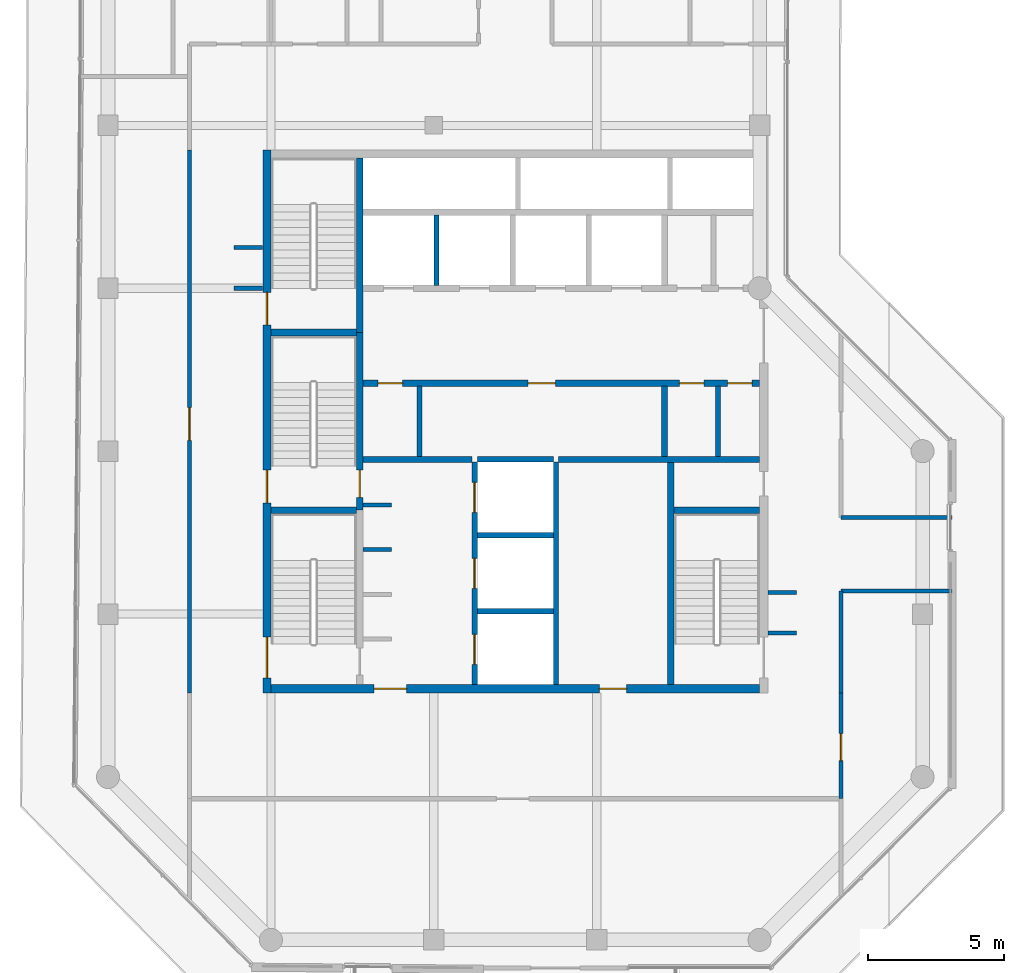
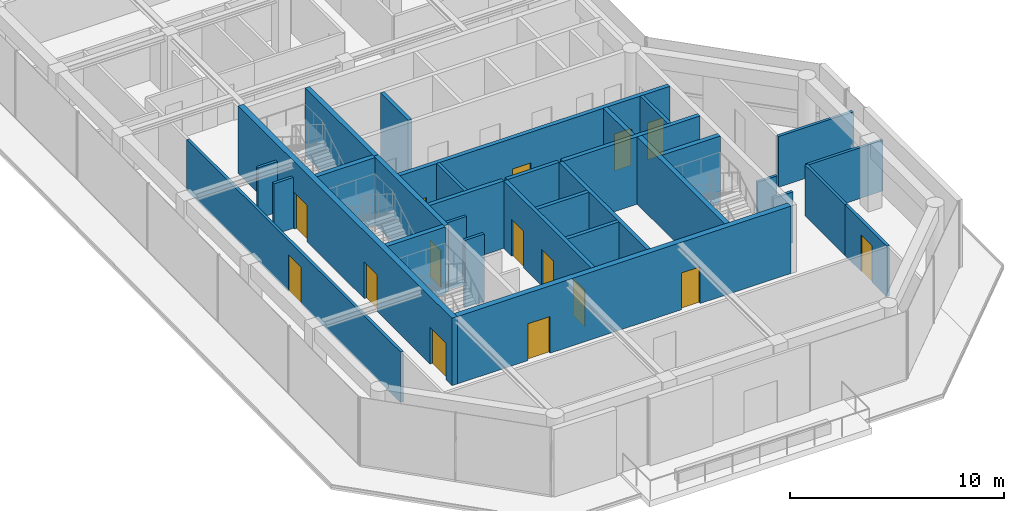
# One storey, part 14 of 18: 31 walls, 15 doors, 15 openings.
"""IFC4 building model written with IfcOpenShell, lengths in metres."""

from ifc_helpers import new_model, si_unit, direction, frame, frame_2d, origin, place, context, subcontext, project, spatial, rectangle, extrude, material, layer, layer_set, type_object, element, fill, save


model = new_model("IFC4")

# Units and contexts
model_context = context("Model", 3, precision=1e-05, world=origin(), true_north=direction((0.0, 1.0)))
body_context = subcontext(model_context, "Body", "Model", "MODEL_VIEW")
ifc_project = project(units=[si_unit("LENGTHUNIT", "METRE"), si_unit("AREAUNIT", "SQUARE_METRE"), si_unit("VOLUMEUNIT", "CUBIC_METRE"), si_unit("PLANEANGLEUNIT", "RADIAN"), si_unit("MASSUNIT", "GRAM", prefix="KILO")], contexts=[model_context])

# Site, building, storey
site_placement = place(None, origin())
site = spatial("IfcSite", under=ifc_project, at=site_placement, CompositionType="ELEMENT")
building_placement = place(site_placement, origin())
building = spatial("IfcBuilding", under=site, at=building_placement, Name="Welwitschia Terrace Campus", CompositionType="ELEMENT")
storey_placement = place(building_placement, frame((0.0, 0.0, 285.199951171875)))
storey = spatial("IfcBuildingStorey", under=building, at=storey_placement, Name="L63", CompositionType="ELEMENT", Elevation=285.199951171875)

# Walls
ifc_material_1 = material(Name="Concrete C32/40", Category="concrete")
ifc_layer_1 = layer(ifc_material_1, 0.175048828125)
ifc_layer_set_1 = layer_set([ifc_layer_1], Name="Concrete C32/40")
wall_type_1 = type_object("IfcWallType", Name="Core partition 175 Concrete C32/40", PredefinedType="PARTITIONING", material=ifc_layer_set_1)
for number, where, z_axis, x_axis, name in (
    (1, (11.47509765625, 13.800048828125, 0.0), (0.0, 0.0, 1.0), (0.0, 1.0, 0.0), "Core partition"),
    (2, (22.469970703125, 13.800048828125, 0.0), (0.0, 0.0, 1.0), (0.0, 1.0, 0.0), "Core partition"),
):
    element("IfcWall", number, at=place(storey_placement, frame(where, z_axis=z_axis, x_axis=x_axis)), inside=storey, type_object=wall_type_1, Name=name, PredefinedType="PARTITIONING", context=body_context, shape_type="SweptSolid", body=[
        extrude(rectangle(XDim=2.599853515625, YDim=0.175048828125, at=frame_2d((1.2998046875, 0.0))), origin(), (0.0, 0.0, 1.0), 3.85009765625),
    ])
ifc_material_2 = material(Name="Concrete C32/40", Category="concrete")
ifc_layer_2 = layer(ifc_material_2, 0.22509765625)
ifc_layer_set_2 = layer_set([ifc_layer_2], Name="Concrete C32/40")
wall_type_2 = type_object("IfcWallType", Name="Core partition 225 Concrete C32/40", PredefinedType="PARTITIONING", material=ifc_layer_set_2)
wall_1_placement = place(storey_placement, frame((9.39990234375, 13.699951171875, 0.0), z_axis=(0.0, 0.0, 1.0), x_axis=(1.0, 0.0, 0.0)))
element("IfcWall", 3, at=wall_1_placement, inside=storey, type_object=wall_type_2, Name="Core partition", PredefinedType="PARTITIONING", context=body_context, shape_type="SweptSolid", body=[
    extrude(rectangle(XDim=4.0, YDim=0.22509765625, at=frame_2d((2.0, 0.0))), origin(), (0.0, 0.0, 1.0), 3.85009765625),
])
wall_2_placement = place(storey_placement, frame((16.60009765625, 13.699951171875, 0.0), z_axis=(0.0, 0.0, 1.0), x_axis=(1.0, 0.0, 0.0)))
element("IfcWall", 4, at=wall_2_placement, inside=storey, type_object=wall_type_2, Name="Core partition", PredefinedType="PARTITIONING", context=body_context, shape_type="SweptSolid", body=[
    extrude(rectangle(XDim=7.39990234375, YDim=0.22509765625, at=frame_2d((3.699951171875, 0.0))), origin(), (0.0, 0.0, 1.0), 3.85009765625),
])

# Wall, openings, doors
wall_3_placement = place(storey_placement, frame((9.39990234375, 16.5, 0.0), z_axis=(0.0, 0.0, 1.0), x_axis=(1.0, 0.0, 0.0)))
wall_3 = element("IfcWall", 5, at=wall_3_placement, inside=storey, type_object=wall_type_2, Name="Core partition", PredefinedType="PARTITIONING", context=body_context, shape_type="SweptSolid", body=[
    extrude(rectangle(XDim=14.60009765625, YDim=0.22509765625, at=frame_2d((7.300048828125, 0.0))), origin(), (0.0, 0.0, 1.0), 3.85009765625),
])
opening_1_placement = place(wall_3_placement, frame((0.550048828125, 0.0, 0.0)))
opening_1 = element("IfcOpeningElement", 6, at=opening_1_placement, cuts=wall_3, Name="Opening DR09", PredefinedType="OPENING", context=body_context, shape_type="SweptSolid", body=[
    extrude(rectangle(XDim=0.89990234375, YDim=2.10009765625, at=frame_2d((0.449951171875, 1.050048828125))), frame((0.0, 0.12255859375, 0.0), z_axis=(0.0, -1.0, 0.0), x_axis=(1.0, 0.0, 0.0)), (0.0, 0.0, 1.0), 0.2451171875),
])
opening_2_placement = place(wall_3_placement, frame((6.074951171875, 0.0, 0.0)))
opening_2 = element("IfcOpeningElement", 7, at=opening_2_placement, cuts=wall_3, Name="Opening DR10", PredefinedType="OPENING", context=body_context, shape_type="SweptSolid", body=[
    extrude(rectangle(XDim=1.0, YDim=2.10009765625, at=frame_2d((0.5, 1.050048828125))), frame((0.0, 0.12255859375, 0.0), z_axis=(0.0, -1.0, 0.0), x_axis=(1.0, 0.0, 0.0)), (0.0, 0.0, 1.0), 0.2451171875),
])
opening_3_placement = place(wall_3_placement, frame((11.6474609375, 0.0, 0.0)))
opening_3 = element("IfcOpeningElement", 8, at=opening_3_placement, cuts=wall_3, Name="Opening DR09", PredefinedType="OPENING", context=body_context, shape_type="SweptSolid", body=[
    extrude(rectangle(XDim=0.89990234375, YDim=2.10009765625, at=frame_2d((0.449951171875, 1.050048828125))), frame((0.0, 0.12255859375, 0.0), z_axis=(0.0, -1.0, 0.0), x_axis=(1.0, 0.0, 0.0)), (0.0, 0.0, 1.0), 0.2451171875),
])
opening_4_placement = place(wall_3_placement, frame((13.422607421875, 0.0, 0.0)))
opening_4 = element("IfcOpeningElement", 9, at=opening_4_placement, cuts=wall_3, Name="Opening DR09", PredefinedType="OPENING", context=body_context, shape_type="SweptSolid", body=[
    extrude(rectangle(XDim=0.89990234375, YDim=2.10009765625, at=frame_2d((0.449951171875, 1.050048828125))), frame((0.0, 0.12255859375, 0.0), z_axis=(0.0, -1.0, 0.0), x_axis=(1.0, 0.0, 0.0)), (0.0, 0.0, 1.0), 0.2451171875),
])
ifc_material_3 = material(Name="Steel S275", Category="steel")
door_type_1 = type_object("IfcDoorType", Name="Core door DR09", OperationType="SINGLE_SWING_LEFT", PredefinedType="DOOR", material=ifc_material_3)
door_1_placement = place(opening_1_placement, origin())
door_1 = element("IfcDoor", 10, at=door_1_placement, inside=storey, type_object=door_type_1, Name="Door BAYL1-D", OperationType="SINGLE_SWING_LEFT", OverallHeight=2.10009765625, OverallWidth=0.89990234375, PredefinedType="DOOR", context=body_context, shape_type="SweptSolid", body=[
    extrude(rectangle(XDim=0.89990234375, YDim=2.10009765625, at=frame_2d((0.449951171875, 1.050048828125))), frame((0.0, 0.02490234375, 0.0), z_axis=(0.0, -1.0, 0.0), x_axis=(1.0, 0.0, 0.0)), (0.0, 0.0, 1.0), 0.050048828125),
])
fill(opening_1, door_1)
door_2_placement = place(opening_3_placement, origin())
door_2 = element("IfcDoor", 11, at=door_2_placement, inside=storey, type_object=door_type_1, Name="Door EL1-D", OperationType="SINGLE_SWING_RIGHT", OverallHeight=2.10009765625, OverallWidth=0.89990234375, PredefinedType="DOOR", context=body_context, shape_type="SweptSolid", body=[
    extrude(rectangle(XDim=0.89990234375, YDim=2.10009765625, at=frame_2d((0.449951171875, 1.050048828125))), frame((0.0, 0.02490234375, 0.0), z_axis=(0.0, -1.0, 0.0), x_axis=(1.0, 0.0, 0.0)), (0.0, 0.0, 1.0), 0.050048828125),
])
fill(opening_3, door_2)
door_3_placement = place(opening_4_placement, origin())
door_3 = element("IfcDoor", 12, at=door_3_placement, inside=storey, type_object=door_type_1, Name="Door EL2-D", OperationType="SINGLE_SWING_RIGHT", OverallHeight=2.10009765625, OverallWidth=0.89990234375, PredefinedType="DOOR", context=body_context, shape_type="SweptSolid", body=[
    extrude(rectangle(XDim=0.89990234375, YDim=2.10009765625, at=frame_2d((0.449951171875, 1.050048828125))), frame((0.0, 0.02490234375, 0.0), z_axis=(0.0, -1.0, 0.0), x_axis=(1.0, 0.0, 0.0)), (0.0, 0.0, 1.0), 0.050048828125),
])
fill(opening_4, door_3)
ifc_material_4 = material(Name="Steel S275", Category="steel")
door_type_2 = type_object("IfcDoorType", Name="Core door DR10", OperationType="SINGLE_SWING_LEFT", PredefinedType="DOOR", material=ifc_material_4)
door_4_placement = place(opening_2_placement, origin())
door_4 = element("IfcDoor", 13, at=door_4_placement, inside=storey, type_object=door_type_2, Name="Door BAYL2-D", OperationType="SINGLE_SWING_LEFT", OverallHeight=2.10009765625, OverallWidth=1.0, PredefinedType="DOOR", context=body_context, shape_type="SweptSolid", body=[
    extrude(rectangle(XDim=1.0, YDim=2.10009765625, at=frame_2d((0.5, 1.050048828125))), frame((0.0, 0.02490234375, 0.0), z_axis=(0.0, -1.0, 0.0), x_axis=(1.0, 0.0, 0.0)), (0.0, 0.0, 1.0), 0.050048828125),
])
fill(opening_2, door_4)

# Walls
wall_4_placement = place(storey_placement, frame((20.5, 13.800048828125, 0.0), z_axis=(0.0, 0.0, 1.0), x_axis=(0.0, 1.0, 0.0)))
element("IfcWall", 14, at=wall_4_placement, inside=storey, type_object=wall_type_2, Name="Core partition", PredefinedType="PARTITIONING", context=body_context, shape_type="SweptSolid", body=[
    extrude(rectangle(XDim=2.599853515625, YDim=0.22509765625, at=frame_2d((1.2998046875, 0.0))), origin(), (0.0, 0.0, 1.0), 3.85009765625),
])
ifc_material_5 = material(Name="Concrete C50/60", Category="concrete")
ifc_layer_3 = layer(ifc_material_5, 0.14990234375)
ifc_layer_set_3 = layer_set([ifc_layer_3], Name="Concrete C50/60")
wall_type_3 = type_object("IfcWallType", Name="Core wall 150 Concrete C50/60", PredefinedType="SHEAR", material=ifc_layer_set_3)
for number, where, z_axis, x_axis, name in (
    (15, (9.39990234375, 10.375, 0.0), (0.0, 0.0, 1.0), (1.0, 0.0, 0.0), "Core wall"),
    (16, (9.39990234375, 12.02490234375, 0.0), (0.0, 0.0, 1.0), (1.0, 0.0, 0.0), "Core wall"),
):
    element("IfcWall", number, at=place(storey_placement, frame(where, z_axis=z_axis, x_axis=x_axis)), inside=storey, type_object=wall_type_3, Name=name, PredefinedType="SHEAR", context=body_context, shape_type="SweptSolid", body=[
        extrude(rectangle(XDim=1.050048828125, YDim=0.14990234375, at=frame_2d((0.52490234375, 0.0))), origin(), (0.0, 0.0, 1.0), 3.85009765625),
    ])
ifc_material_6 = material(Name="Concrete C50/60", Category="concrete")
ifc_layer_4 = layer(ifc_material_6, 0.199951171875)
ifc_layer_set_4 = layer_set([ifc_layer_4], Name="Concrete C50/60")
wall_type_4 = type_object("IfcWallType", Name="Core wall 200 Concrete C50/60", PredefinedType="SHEAR", material=ifc_layer_set_4)
for number, where, z_axis, x_axis, name in (
    (17, (13.60009765625, 8.10009765625, 0.0), (0.0, 0.0, 1.0), (1.0, 0.0, 0.0), "Core wall"),
    (18, (13.60009765625, 10.89990234375, 0.0), (0.0, 0.0, 1.0), (1.0, 0.0, 0.0), "Core wall"),
    (19, (13.60009765625, 13.699951171875, 0.0), (0.0, 0.0, 1.0), (1.0, 0.0, 0.0), "Core wall"),
):
    element("IfcWall", number, at=place(storey_placement, frame(where, z_axis=z_axis, x_axis=x_axis)), inside=storey, type_object=wall_type_4, Name=name, PredefinedType="SHEAR", context=body_context, shape_type="SweptSolid", body=[
        extrude(rectangle(XDim=2.7998046875, YDim=0.199951171875, at=frame_2d((1.39990234375, 0.0))), origin(), (0.0, 0.0, 1.0), 3.85009765625),
    ])

# Wall, openings, doors
wall_5_placement = place(storey_placement, frame((13.5, 5.39990234375, 0.0), z_axis=(0.0, 0.0, 1.0), x_axis=(0.0, 1.0, 0.0)))
wall_5 = element("IfcWall", 20, at=wall_5_placement, inside=storey, type_object=wall_type_4, Name="Core wall", PredefinedType="SHEAR", context=body_context, shape_type="SweptSolid", body=[
    extrude(rectangle(XDim=8.2001953125, YDim=0.199951171875, at=frame_2d((4.10009765625, 0.0))), origin(), (0.0, 0.0, 1.0), 3.85009765625),
])
opening_5_placement = place(wall_5_placement, frame((0.75, 0.0, 0.0)))
opening_5 = element("IfcOpeningElement", 21, at=opening_5_placement, cuts=wall_5, Name="Opening LD", PredefinedType="OPENING", context=body_context, shape_type="SweptSolid", body=[
    extrude(rectangle(XDim=1.10009765625, YDim=2.10009765625, at=frame_2d((0.550048828125, 1.050048828125))), frame((0.0, 0.10986328125, 0.0), z_axis=(0.0, -1.0, 0.0), x_axis=(1.0, 0.0, 0.0)), (0.0, 0.0, 1.0), 0.219970703125),
])
opening_6_placement = place(wall_5_placement, frame((3.550048828125, 0.0, 0.0)))
opening_6 = element("IfcOpeningElement", 22, at=opening_6_placement, cuts=wall_5, Name="Opening LD", PredefinedType="OPENING", context=body_context, shape_type="SweptSolid", body=[
    extrude(rectangle(XDim=1.10009765625, YDim=2.10009765625, at=frame_2d((0.550048828125, 1.050048828125))), frame((0.0, 0.10986328125, 0.0), z_axis=(0.0, -1.0, 0.0), x_axis=(1.0, 0.0, 0.0)), (0.0, 0.0, 1.0), 0.219970703125),
])
opening_7_placement = place(wall_5_placement, frame((6.35009765625, 0.0, 0.0)))
opening_7 = element("IfcOpeningElement", 23, at=opening_7_placement, cuts=wall_5, Name="Opening LD", PredefinedType="OPENING", context=body_context, shape_type="SweptSolid", body=[
    extrude(rectangle(XDim=1.10009765625, YDim=2.10009765625, at=frame_2d((0.550048828125, 1.050048828125))), frame((0.0, 0.10986328125, 0.0), z_axis=(0.0, -1.0, 0.0), x_axis=(1.0, 0.0, 0.0)), (0.0, 0.0, 1.0), 0.219970703125),
])
ifc_material_7 = material(Name="Stainless steel 304", Category="steel")
door_type_3 = type_object("IfcDoorType", Name="Lift landing door", OperationType="DOUBLE_DOOR_SLIDING", PredefinedType="DOOR", material=ifc_material_7)
door_5_placement = place(opening_5_placement, origin())
door_5 = element("IfcDoor", 24, at=door_5_placement, inside=storey, type_object=door_type_3, Name="Landing door FF1", OperationType="DOUBLE_DOOR_SLIDING", OverallHeight=2.10009765625, OverallWidth=1.10009765625, PredefinedType="DOOR", context=body_context, shape_type="SweptSolid", body=[
    extrude(rectangle(XDim=1.10009765625, YDim=2.10009765625, at=frame_2d((0.550048828125, 1.050048828125))), frame((0.0, 0.02490234375, 0.0), z_axis=(0.0, -1.0, 0.0), x_axis=(1.0, 0.0, 0.0)), (0.0, 0.0, 1.0), 0.050048828125),
])
fill(opening_5, door_5)
door_6_placement = place(opening_6_placement, origin())
door_6 = element("IfcDoor", 25, at=door_6_placement, inside=storey, type_object=door_type_3, Name="Landing door FF2", OperationType="DOUBLE_DOOR_SLIDING", OverallHeight=2.10009765625, OverallWidth=1.10009765625, PredefinedType="DOOR", context=body_context, shape_type="SweptSolid", body=[
    extrude(rectangle(XDim=1.10009765625, YDim=2.10009765625, at=frame_2d((0.550048828125, 1.050048828125))), frame((0.0, 0.02490234375, 0.0), z_axis=(0.0, -1.0, 0.0), x_axis=(1.0, 0.0, 0.0)), (0.0, 0.0, 1.0), 0.050048828125),
])
fill(opening_6, door_6)
door_7_placement = place(opening_7_placement, origin())
door_7 = element("IfcDoor", 26, at=door_7_placement, inside=storey, type_object=door_type_3, Name="Landing door SV1", OperationType="DOUBLE_DOOR_SLIDING", OverallHeight=2.10009765625, OverallWidth=1.10009765625, PredefinedType="DOOR", context=body_context, shape_type="SweptSolid", body=[
    extrude(rectangle(XDim=1.10009765625, YDim=2.10009765625, at=frame_2d((0.550048828125, 1.050048828125))), frame((0.0, 0.02490234375, 0.0), z_axis=(0.0, -1.0, 0.0), x_axis=(1.0, 0.0, 0.0)), (0.0, 0.0, 1.0), 0.050048828125),
])
fill(opening_7, door_7)

# Walls
wall_6_placement = place(storey_placement, frame((16.5, 5.39990234375, 0.0), z_axis=(0.0, 0.0, 1.0), x_axis=(0.0, 1.0, 0.0)))
element("IfcWall", 27, at=wall_6_placement, inside=storey, type_object=wall_type_4, Name="Core wall", PredefinedType="SHEAR", context=body_context, shape_type="SweptSolid", body=[
    extrude(rectangle(XDim=8.2001953125, YDim=0.199951171875, at=frame_2d((4.10009765625, 0.0))), origin(), (0.0, 0.0, 1.0), 3.85009765625),
])
ifc_material_8 = material(Name="Concrete C50/60", Category="concrete")
ifc_layer_5 = layer(ifc_material_8, 0.25)
ifc_layer_set_5 = layer_set([ifc_layer_5], Name="Concrete C50/60")
wall_type_5 = type_object("IfcWallType", Name="Core wall 250 Concrete C50/60", PredefinedType="SHEAR", material=ifc_layer_set_5)
for number, where, z_axis, x_axis, name in (
    (28, (6.0, 11.824951171875, 0.0), (0.0, 0.0, 1.0), (1.0, 0.0, 0.0), "Core wall"),
    (29, (20.85009765625, 11.824951171875, 0.0), (0.0, 0.0, 1.0), (1.0, 0.0, 0.0), "Core wall"),
    (30, (6.0, 18.375, 0.0), (0.0, 0.0, 1.0), (1.0, 0.0, 0.0), "Core wall"),
):
    element("IfcWall", number, at=place(storey_placement, frame(where, z_axis=z_axis, x_axis=x_axis)), inside=storey, type_object=wall_type_5, Name=name, PredefinedType="SHEAR", context=body_context, shape_type="SweptSolid", body=[
        extrude(rectangle(XDim=3.14990234375, YDim=0.25, at=frame_2d((1.574951171875, 0.0))), origin(), (0.0, 0.0, 1.0), 3.85009765625),
    ])

# Wall, opening, door
wall_7_placement = place(storey_placement, frame((9.27490234375, 18.375, 0.0), z_axis=(0.0, 0.0, 1.0), x_axis=(0.0, -1.0, 0.0)))
wall_7 = element("IfcWall", 31, at=wall_7_placement, inside=storey, type_object=wall_type_5, Name="Core wall", PredefinedType="SHEAR", context=body_context, shape_type="SweptSolid", body=[
    extrude(rectangle(XDim=6.550048828125, YDim=0.25, at=frame_2d((3.27490234375, 0.0))), origin(), (0.0, 0.0, 1.0), 3.85009765625),
])
opening_8_placement = place(wall_7_placement, frame((5.074951171875, 0.0, 0.0)))
opening_8 = element("IfcOpeningElement", 32, at=opening_8_placement, cuts=wall_7, Name="Opening DS10", PredefinedType="OPENING", context=body_context, shape_type="SweptSolid", body=[
    extrude(rectangle(XDim=1.0, YDim=2.10009765625, at=frame_2d((0.5, 1.050048828125))), frame((0.0, 0.135009765625, 0.0), z_axis=(0.0, -1.0, 0.0), x_axis=(1.0, 0.0, 0.0)), (0.0, 0.0, 1.0), 0.27001953125),
])
ifc_material_9 = material(Name="Steel S275", Category="steel")
door_type_4 = type_object("IfcDoorType", Name="Core door DS10", OperationType="SINGLE_SWING_LEFT", PredefinedType="DOOR", material=ifc_material_9)
door_8_placement = place(opening_8_placement, origin())
door_8 = element("IfcDoor", 33, at=door_8_placement, inside=storey, type_object=door_type_4, Name="Door S3-FL", OperationType="SINGLE_SWING_RIGHT", OverallHeight=2.10009765625, OverallWidth=1.0, PredefinedType="DOOR", context=body_context, shape_type="SweptSolid", body=[
    extrude(rectangle(XDim=1.0, YDim=2.10009765625, at=frame_2d((0.5, 1.050048828125))), frame((0.0, 0.02490234375, 0.0), z_axis=(0.0, -1.0, 0.0), x_axis=(1.0, 0.0, 0.0)), (0.0, 0.0, 1.0), 0.050048828125),
])
fill(opening_8, door_8)

# Walls
wall_8_placement = place(storey_placement, frame((9.27490234375, 18.375, 0.0), z_axis=(0.0, 0.0, 1.0), x_axis=(0.0, 1.0, 0.0)))
element("IfcWall", 34, at=wall_8_placement, inside=storey, type_object=wall_type_5, Name="Core wall", PredefinedType="SHEAR", context=body_context, shape_type="SweptSolid", body=[
    extrude(rectangle(XDim=6.425048828125, YDim=0.25, at=frame_2d((3.21240234375, 0.0))), origin(), (0.0, 0.0, 1.0), 3.85009765625),
])
wall_9_placement = place(storey_placement, frame((20.72509765625, 5.39990234375, 0.0), z_axis=(0.0, 0.0, 1.0), x_axis=(0.0, 1.0, 0.0)))
element("IfcWall", 35, at=wall_9_placement, inside=storey, type_object=wall_type_5, Name="Core wall", PredefinedType="SHEAR", context=body_context, shape_type="SweptSolid", body=[
    extrude(rectangle(XDim=8.2001953125, YDim=0.25, at=frame_2d((4.10009765625, 0.0))), origin(), (0.0, 0.0, 1.0), 3.85009765625),
])

# Wall, openings, doors
ifc_material_10 = material(Name="Concrete C50/60", Category="concrete")
ifc_layer_6 = layer(ifc_material_10, 0.300048828125)
ifc_layer_set_6 = layer_set([ifc_layer_6], Name="Concrete C50/60")
wall_type_6 = type_object("IfcWallType", Name="Core wall 300 Concrete C50/60", PredefinedType="SHEAR", material=ifc_layer_set_6)
wall_10_placement = place(storey_placement, frame((5.85009765625, 5.10009765625, 0.0), z_axis=(0.0, 0.0, 1.0), x_axis=(0.0, 1.0, 0.0)))
wall_10 = element("IfcWall", 36, at=wall_10_placement, inside=storey, type_object=wall_type_6, Name="Core outer wall", PredefinedType="SHEAR", context=body_context, shape_type="SweptSolid", body=[
    extrude(rectangle(XDim=20.0, YDim=0.300048828125, at=frame_2d((10.0, 0.0))), origin(), (0.0, 0.0, 1.0), 3.85009765625),
])
opening_9_placement = place(wall_10_placement, frame((0.550048828125, 0.0, 0.0)))
opening_9 = element("IfcOpeningElement", 37, at=opening_9_placement, cuts=wall_10, Name="Opening DS15", PredefinedType="OPENING", context=body_context, shape_type="SweptSolid", body=[
    extrude(rectangle(XDim=1.5, YDim=2.10009765625, at=frame_2d((0.75, 1.050048828125))), frame((0.0, 0.159912109375, 0.0), z_axis=(0.0, -1.0, 0.0), x_axis=(1.0, 0.0, 0.0)), (0.0, 0.0, 1.0), 0.320068359375),
])
opening_10_placement = place(wall_10_placement, frame((7.0, 0.0, 0.0)))
opening_10 = element("IfcOpeningElement", 38, at=opening_10_placement, cuts=wall_10, Name="Opening DS12", PredefinedType="OPENING", context=body_context, shape_type="SweptSolid", body=[
    extrude(rectangle(XDim=1.199951171875, YDim=2.10009765625, at=frame_2d((0.60009765625, 1.050048828125))), frame((0.0, 0.159912109375, 0.0), z_axis=(0.0, -1.0, 0.0), x_axis=(1.0, 0.0, 0.0)), (0.0, 0.0, 1.0), 0.320068359375),
])
opening_11_placement = place(wall_10_placement, frame((13.550048828125, 0.0, 0.0)))
opening_11 = element("IfcOpeningElement", 39, at=opening_11_placement, cuts=wall_10, Name="Opening DS12", PredefinedType="OPENING", context=body_context, shape_type="SweptSolid", body=[
    extrude(rectangle(XDim=1.199951171875, YDim=2.10009765625, at=frame_2d((0.60009765625, 1.050048828125))), frame((0.0, 0.159912109375, 0.0), z_axis=(0.0, -1.0, 0.0), x_axis=(1.0, 0.0, 0.0)), (0.0, 0.0, 1.0), 0.320068359375),
])
ifc_material_11 = material(Name="Steel S275", Category="steel")
door_type_5 = type_object("IfcDoorType", Name="Core door DS12", OperationType="SINGLE_SWING_LEFT", PredefinedType="DOOR", material=ifc_material_11)
door_9_placement = place(opening_10_placement, origin())
door_9 = element("IfcDoor", 40, at=door_9_placement, inside=storey, type_object=door_type_5, Name="Door S3-out", OperationType="SINGLE_SWING_LEFT", OverallHeight=2.10009765625, OverallWidth=1.199951171875, PredefinedType="DOOR", context=body_context, shape_type="SweptSolid", body=[
    extrude(rectangle(XDim=1.199951171875, YDim=2.10009765625, at=frame_2d((0.60009765625, 1.050048828125))), frame((0.0, 0.02490234375, 0.0), z_axis=(0.0, -1.0, 0.0), x_axis=(1.0, 0.0, 0.0)), (0.0, 0.0, 1.0), 0.050048828125),
])
fill(opening_10, door_9)
door_10_placement = place(opening_11_placement, origin())
door_10 = element("IfcDoor", 41, at=door_10_placement, inside=storey, type_object=door_type_5, Name="Door S4-out", OperationType="SINGLE_SWING_RIGHT", OverallHeight=2.10009765625, OverallWidth=1.199951171875, PredefinedType="DOOR", context=body_context, shape_type="SweptSolid", body=[
    extrude(rectangle(XDim=1.199951171875, YDim=2.10009765625, at=frame_2d((0.60009765625, 1.050048828125))), frame((0.0, 0.02490234375, 0.0), z_axis=(0.0, -1.0, 0.0), x_axis=(1.0, 0.0, 0.0)), (0.0, 0.0, 1.0), 0.050048828125),
])
fill(opening_11, door_10)
ifc_material_12 = material(Name="Steel S275", Category="steel")
door_type_6 = type_object("IfcDoorType", Name="Core door DS15", OperationType="DOUBLE_DOOR_SINGLE_SWING", PredefinedType="DOOR", material=ifc_material_12)
door_11_placement = place(opening_9_placement, origin())
door_11 = element("IfcDoor", 42, at=door_11_placement, inside=storey, type_object=door_type_6, Name="Door S1-out", OperationType="DOUBLE_DOOR_SINGLE_SWING", OverallHeight=2.10009765625, OverallWidth=1.5, PredefinedType="DOOR", context=body_context, shape_type="SweptSolid", body=[
    extrude(rectangle(XDim=1.5, YDim=2.10009765625, at=frame_2d((0.75, 1.050048828125))), frame((0.0, 0.02490234375, 0.0), z_axis=(0.0, -1.0, 0.0), x_axis=(1.0, 0.0, 0.0)), (0.0, 0.0, 1.0), 0.050048828125),
])
fill(opening_9, door_11)

wall_11_placement = place(storey_placement, frame((24.0, 5.25, 0.0), z_axis=(0.0, 0.0, 1.0), x_axis=(-1.0, 0.0, 0.0)))
wall_11 = element("IfcWall", 43, at=wall_11_placement, inside=storey, type_object=wall_type_6, Name="Core outer wall", PredefinedType="SHEAR", context=body_context, shape_type="SweptSolid", body=[
    extrude(rectangle(XDim=18.0, YDim=0.300048828125, at=frame_2d((9.0, 0.0))), origin(), (0.0, 0.0, 1.0), 3.85009765625),
])
opening_12_placement = place(wall_11_placement, frame((13.0, 0.0, 0.0)))
opening_12 = element("IfcOpeningElement", 44, at=opening_12_placement, cuts=wall_11, Name="Opening DF12", PredefinedType="OPENING", context=body_context, shape_type="SweptSolid", body=[
    extrude(rectangle(XDim=1.199951171875, YDim=2.10009765625, at=frame_2d((0.60009765625, 1.050048828125))), frame((0.0, 0.159912109375, 0.0), z_axis=(0.0, -1.0, 0.0), x_axis=(1.0, 0.0, 0.0)), (0.0, 0.0, 1.0), 0.320068359375),
])
opening_13_placement = place(wall_11_placement, frame((4.89990234375, 0.0, 0.0)))
opening_13 = element("IfcOpeningElement", 45, at=opening_13_placement, cuts=wall_11, Name="Opening DR10", PredefinedType="OPENING", context=body_context, shape_type="SweptSolid", body=[
    extrude(rectangle(XDim=1.0, YDim=2.10009765625, at=frame_2d((0.5, 1.050048828125))), frame((0.0, 0.159912109375, 0.0), z_axis=(0.0, -1.0, 0.0), x_axis=(1.0, 0.0, 0.0)), (0.0, 0.0, 1.0), 0.320068359375),
])
ifc_material_13 = material(Name="Steel S275", Category="steel")
door_type_7 = type_object("IfcDoorType", Name="Core door DF12", OperationType="SINGLE_SWING_LEFT", PredefinedType="DOOR", material=ifc_material_13)
door_12_placement = place(opening_12_placement, origin())
door_12 = element("IfcDoor", 46, at=door_12_placement, inside=storey, type_object=door_type_7, Name="Door FL-out", OperationType="SINGLE_SWING_RIGHT", OverallHeight=2.10009765625, OverallWidth=1.199951171875, PredefinedType="DOOR", context=body_context, shape_type="SweptSolid", body=[
    extrude(rectangle(XDim=1.199951171875, YDim=2.10009765625, at=frame_2d((0.60009765625, 1.050048828125))), frame((0.0, 0.02490234375, 0.0), z_axis=(0.0, -1.0, 0.0), x_axis=(1.0, 0.0, 0.0)), (0.0, 0.0, 1.0), 0.050048828125),
])
fill(opening_12, door_12)
door_13_placement = place(opening_13_placement, origin())
door_13 = element("IfcDoor", 47, at=door_13_placement, inside=storey, type_object=door_type_2, Name="Door F1-out", OperationType="SINGLE_SWING_LEFT", OverallHeight=2.10009765625, OverallWidth=1.0, PredefinedType="DOOR", context=body_context, shape_type="SweptSolid", body=[
    extrude(rectangle(XDim=1.0, YDim=2.10009765625, at=frame_2d((0.5, 1.050048828125))), frame((0.0, 0.02490234375, 0.0), z_axis=(0.0, -1.0, 0.0), x_axis=(1.0, 0.0, 0.0)), (0.0, 0.0, 1.0), 0.050048828125),
])
fill(opening_13, door_13)

# Wall, opening, door
ifc_material_14 = material(Name="Gypsum board on steel studs", Category="steel")
ifc_layer_7 = layer(ifc_material_14, 0.14990234375)
ifc_layer_set_7 = layer_set([ifc_layer_7], Name="Gypsum board on steel studs")
wall_type_7 = type_object("IfcWallType", Name="Corridor partition 150 EI 30", PredefinedType="PARTITIONING", material=ifc_layer_set_7)
wall_12_placement = place(storey_placement, frame((3.0, 5.10009765625, 0.0), z_axis=(0.0, 0.0, 1.0), x_axis=(0.0, 1.0, 0.0)))
wall_12 = element("IfcWall", 48, at=wall_12_placement, inside=storey, type_object=wall_type_7, Name="Partition", PredefinedType="PARTITIONING", context=body_context, shape_type="SweptSolid", body=[
    extrude(rectangle(XDim=20.0, YDim=0.14990234375, at=frame_2d((10.0, 0.0))), origin(), (0.0, 0.0, 1.0), 2.900146484375),
])
opening_14_placement = place(wall_12_placement, frame((9.300048828125, 0.0, 0.0)))
opening_14 = element("IfcOpeningElement", 49, at=opening_14_placement, cuts=wall_12, Name="Opening DI12", PredefinedType="OPENING", context=body_context, shape_type="SweptSolid", body=[
    extrude(rectangle(XDim=1.199951171875, YDim=2.10009765625, at=frame_2d((0.60009765625, 1.050048828125))), frame((0.0, 0.0849609375, 0.0), z_axis=(0.0, -1.0, 0.0), x_axis=(1.0, 0.0, 0.0)), (0.0, 0.0, 1.0), 0.169921875),
])
ifc_material_15 = material(Name="Timber veneered door", Category="wood")
door_type_8 = type_object("IfcDoorType", Name="Interior door DI12", OperationType="NOTDEFINED", PredefinedType="DOOR", material=ifc_material_15)
door_14_placement = place(opening_14_placement, origin())
door_14 = element("IfcDoor", 50, at=door_14_placement, inside=storey, type_object=door_type_8, Name="Door L63 1120", OperationType="SINGLE_SWING_LEFT", OverallHeight=2.10009765625, OverallWidth=1.199951171875, PredefinedType="DOOR", context=body_context, shape_type="SweptSolid", body=[
    extrude(rectangle(XDim=1.199951171875, YDim=2.10009765625, at=frame_2d((0.60009765625, 1.050048828125))), frame((0.0, 0.02490234375, 0.0), z_axis=(0.0, -1.0, 0.0), x_axis=(1.0, 0.0, 0.0)), (0.0, 0.0, 1.0), 0.050048828125),
])
fill(opening_14, door_14)

# Walls
for number, where, z_axis, x_axis, name in (
    (51, (4.64990234375, 20.0, 0.0), (0.0, 0.0, 1.0), (1.0, 0.0, 0.0), "Partition"),
    (52, (4.64990234375, 21.5, 0.0), (0.0, 0.0, 1.0), (1.0, 0.0, 0.0), "Partition"),
    (53, (24.300048828125, 7.300048828125, 0.0), (0.0, 0.0, 1.0), (1.0, 0.0, 0.0), "Partition"),
    (54, (24.300048828125, 8.800048828125, 0.0), (0.0, 0.0, 1.0), (1.0, 0.0, 0.0), "Partition"),
):
    element("IfcWall", number, at=place(storey_placement, frame(where, z_axis=z_axis, x_axis=x_axis)), inside=storey, type_object=wall_type_7, Name=name, PredefinedType="PARTITIONING", context=body_context, shape_type="SweptSolid", body=[
        extrude(rectangle(XDim=1.050048828125, YDim=0.14990234375, at=frame_2d((0.52490234375, 0.0))), origin(), (0.0, 0.0, 1.0), 2.900146484375),
    ])

# Wall, opening, door
wall_13_placement = place(storey_placement, frame((27.0, 5.10009765625, 0.0), z_axis=(0.0, 0.0, 1.0), x_axis=(0.0, -1.0, 0.0)))
wall_13 = element("IfcWall", 55, at=wall_13_placement, inside=storey, type_object=wall_type_7, Name="Partition", PredefinedType="PARTITIONING", context=body_context, shape_type="SweptSolid", body=[
    extrude(rectangle(XDim=3.900146484375, YDim=0.14990234375, at=frame_2d((1.9501953125, 0.0))), origin(), (0.0, 0.0, 1.0), 2.900146484375),
])
opening_15_placement = place(wall_13_placement, frame((1.5, 0.0, 0.0)))
opening_15 = element("IfcOpeningElement", 56, at=opening_15_placement, cuts=wall_13, Name="Opening DI10", PredefinedType="OPENING", context=body_context, shape_type="SweptSolid", body=[
    extrude(rectangle(XDim=1.0, YDim=2.10009765625, at=frame_2d((0.5, 1.050048828125))), frame((0.0, 0.0849609375, 0.0), z_axis=(0.0, -1.0, 0.0), x_axis=(1.0, 0.0, 0.0)), (0.0, 0.0, 1.0), 0.169921875),
])
ifc_material_16 = material(Name="Timber veneered door", Category="wood")
door_type_9 = type_object("IfcDoorType", Name="Interior door DI10", OperationType="NOTDEFINED", PredefinedType="DOOR", material=ifc_material_16)
door_15_placement = place(opening_15_placement, origin())
door_15 = element("IfcDoor", 57, at=door_15_placement, inside=storey, type_object=door_type_9, Name="Door L63 1134", OperationType="SINGLE_SWING_LEFT", OverallHeight=2.10009765625, OverallWidth=1.0, PredefinedType="DOOR", context=body_context, shape_type="SweptSolid", body=[
    extrude(rectangle(XDim=1.0, YDim=2.10009765625, at=frame_2d((0.5, 1.050048828125))), frame((0.0, 0.02490234375, 0.0), z_axis=(0.0, -1.0, 0.0), x_axis=(1.0, 0.0, 0.0)), (0.0, 0.0, 1.0), 0.050048828125),
])
fill(opening_15, door_15)

# Walls
wall_14_placement = place(storey_placement, frame((27.0, 5.10009765625, 0.0), z_axis=(0.0, 0.0, 1.0), x_axis=(0.0, 1.0, 0.0)))
element("IfcWall", 58, at=wall_14_placement, inside=storey, type_object=wall_type_7, Name="Partition", PredefinedType="PARTITIONING", context=body_context, shape_type="SweptSolid", body=[
    extrude(rectangle(XDim=3.75, YDim=0.14990234375, at=frame_2d((1.875, 0.0))), origin(), (0.0, 0.0, 1.0), 2.900146484375),
])
for number, where, z_axis, x_axis, name in (
    (59, (27.0, 8.85009765625, 0.0), (0.0, 0.0, 1.0), (1.0, 0.0, 0.0), "Partition"),
    (60, (27.0, 11.550048828125, 0.0), (0.0, 0.0, 1.0), (1.0, 0.0, 0.0), "Partition"),
):
    element("IfcWall", number, at=place(storey_placement, frame(where, z_axis=z_axis, x_axis=x_axis)), inside=storey, type_object=wall_type_7, Name=name, PredefinedType="PARTITIONING", context=body_context, shape_type="SweptSolid", body=[
        extrude(rectangle(XDim=4.090087890625, YDim=0.14990234375, at=frame_2d((2.044921875, 0.0))), origin(), (0.0, 0.0, 1.0), 2.900146484375),
    ])
ifc_material_17 = material(Name="Concrete C32/40", Category="concrete")
ifc_layer_8 = layer(ifc_material_17, 0.199951171875)
ifc_layer_set_8 = layer_set([ifc_layer_8], Name="Concrete C32/40")
wall_type_8 = type_object("IfcWallType", Name="Shaft wall 200 Concrete C32/40", PredefinedType="SOLIDWALL", material=ifc_layer_set_8)
wall_15_placement = place(storey_placement, frame((12.10009765625, 20.10009765625, 0.0), z_axis=(0.0, 0.0, 1.0), x_axis=(0.0, 1.0, 0.0)))
element("IfcWall", 61, at=wall_15_placement, inside=storey, type_object=wall_type_8, Name="Shaft wall", PredefinedType="SOLIDWALL", context=body_context, shape_type="SweptSolid", body=[
    extrude(rectangle(XDim=2.599853515625, YDim=0.199951171875, at=frame_2d((1.2998046875, 0.0))), origin(), (0.0, 0.0, 1.0), 3.85009765625),
])

save(model, "model.ifc")
